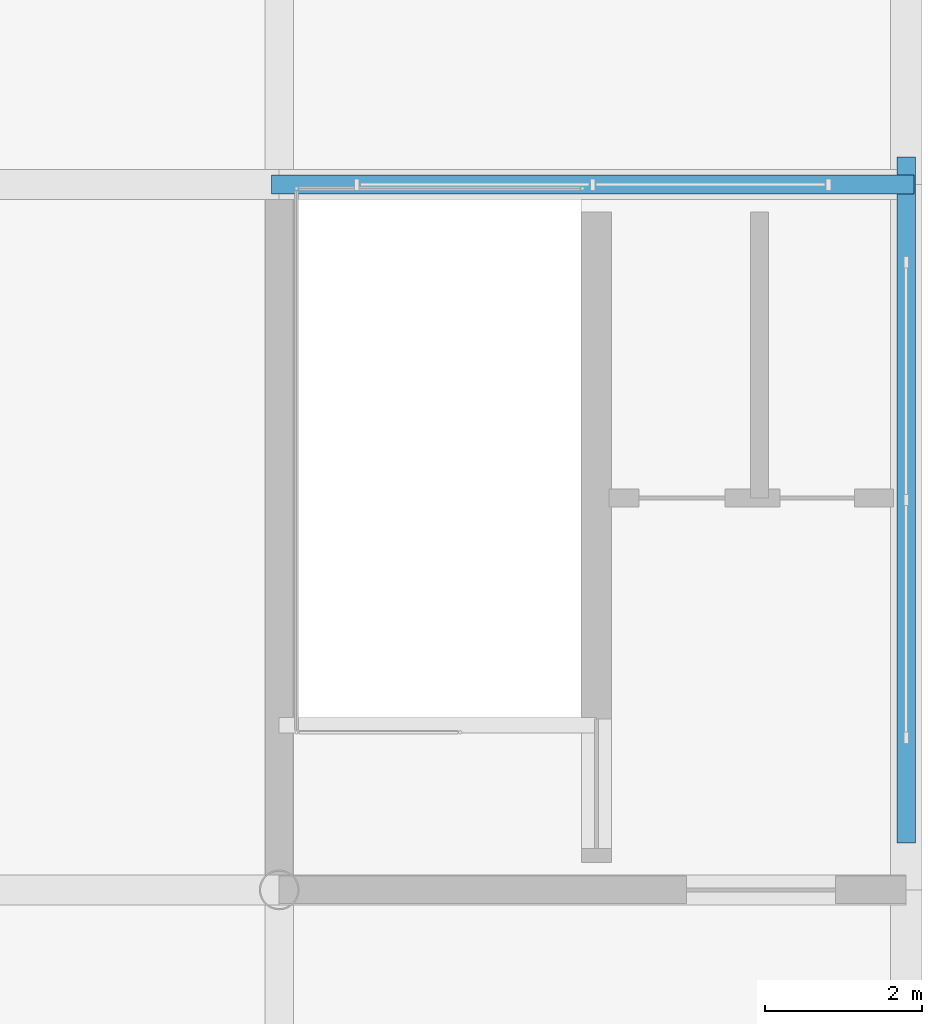
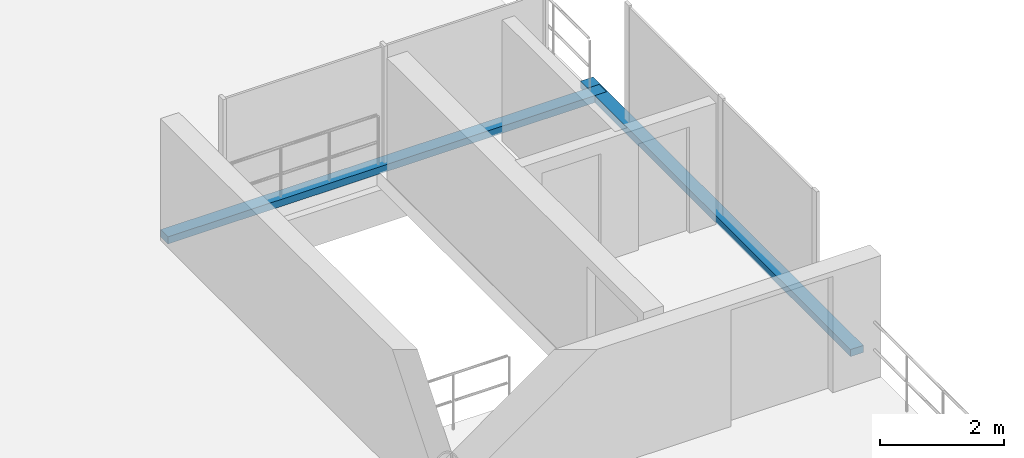
# One storey, part 34 of 52: 2 discrete accessories.
"""IFC4 building model written with IfcOpenShell, lengths in metres."""

from ifc_helpers import new_model, si_unit, derived_unit, direction, frame, origin, origin_2d, place, context, subcontext, project, spatial, rectangle, extrude, material, type_object, element, save


model = new_model("IFC4")

# Units and contexts
model_context = context("Model", 3, precision=1e-05, world=origin(), true_north=direction((0.0, 1.0)))
body_context = subcontext(model_context, "Body", "Model", "MODEL_VIEW")
ifc_project = project(units=[si_unit("LENGTHUNIT", "METRE"), si_unit("AREAUNIT", "SQUARE_METRE"), si_unit("VOLUMEUNIT", "CUBIC_METRE"), si_unit("PLANEANGLEUNIT", "RADIAN"), si_unit("MASSUNIT", "GRAM", prefix="KILO"), si_unit("THERMODYNAMICTEMPERATUREUNIT", "KELVIN"), derived_unit("THERMALTRANSMITTANCEUNIT", [(si_unit("POWERUNIT", "WATT"), 1), (si_unit("AREAUNIT", "SQUARE_METRE"), -1), (si_unit("THERMODYNAMICTEMPERATUREUNIT", "KELVIN"), -1)])], contexts=[model_context])

# Site, building, storey
site_placement = place(None, origin())
site = spatial("IfcSite", under=ifc_project, at=site_placement, CompositionType="ELEMENT")
building_placement = place(site_placement, origin())
building = spatial("IfcBuilding", under=site, at=building_placement, Name="Haiyu Intermodal Mobility Hub", CompositionType="ELEMENT")
storey_placement = place(building_placement, frame((0.0, 0.0, 21.199951171875)))
storey = spatial("IfcBuildingStorey", under=building, at=storey_placement, Name="L05", CompositionType="ELEMENT", Elevation=21.199951171875)

# Discrete accessories
ifc_material = material(Name="Steel Q355C", Category="steel")
discrete_accessory_type = type_object("IfcDiscreteAccessoryType", Name="ACC-BK02", PredefinedType="BRACKET", material=ifc_material)
discrete_accessory_1_placement = place(storey_placement, frame((210.0, 117.97509765625, -0.02978515625), z_axis=(0.0, 0.0, 1.0), x_axis=(1.0, 0.0, 0.0)))
element("IfcDiscreteAccessory", 1, at=discrete_accessory_1_placement, inside=storey, type_object=discrete_accessory_type, Name="BRK-CPAR-C10-E", PredefinedType="BRACKET", context=body_context, shape_type="SweptSolid", body=[
    extrude(rectangle(XDim=0.239990234375, YDim=8.75, at=origin_2d()), origin(), (0.0, 0.0, 1.0), 0.139892578125),
])
discrete_accessory_2_placement = place(storey_placement, frame((206.0, 122.0, -0.02978515625), z_axis=(0.0, 0.0, 1.0), x_axis=(1.0, 0.0, 0.0)))
element("IfcDiscreteAccessory", 2, at=discrete_accessory_2_placement, inside=storey, type_object=discrete_accessory_type, Name="BRK-CPAR-C10-N", PredefinedType="BRACKET", context=body_context, shape_type="SweptSolid", body=[
    extrude(rectangle(XDim=8.199951171875, YDim=0.239990234375, at=origin_2d()), origin(), (0.0, 0.0, 1.0), 0.139892578125),
])

save(model, "model.ifc")
